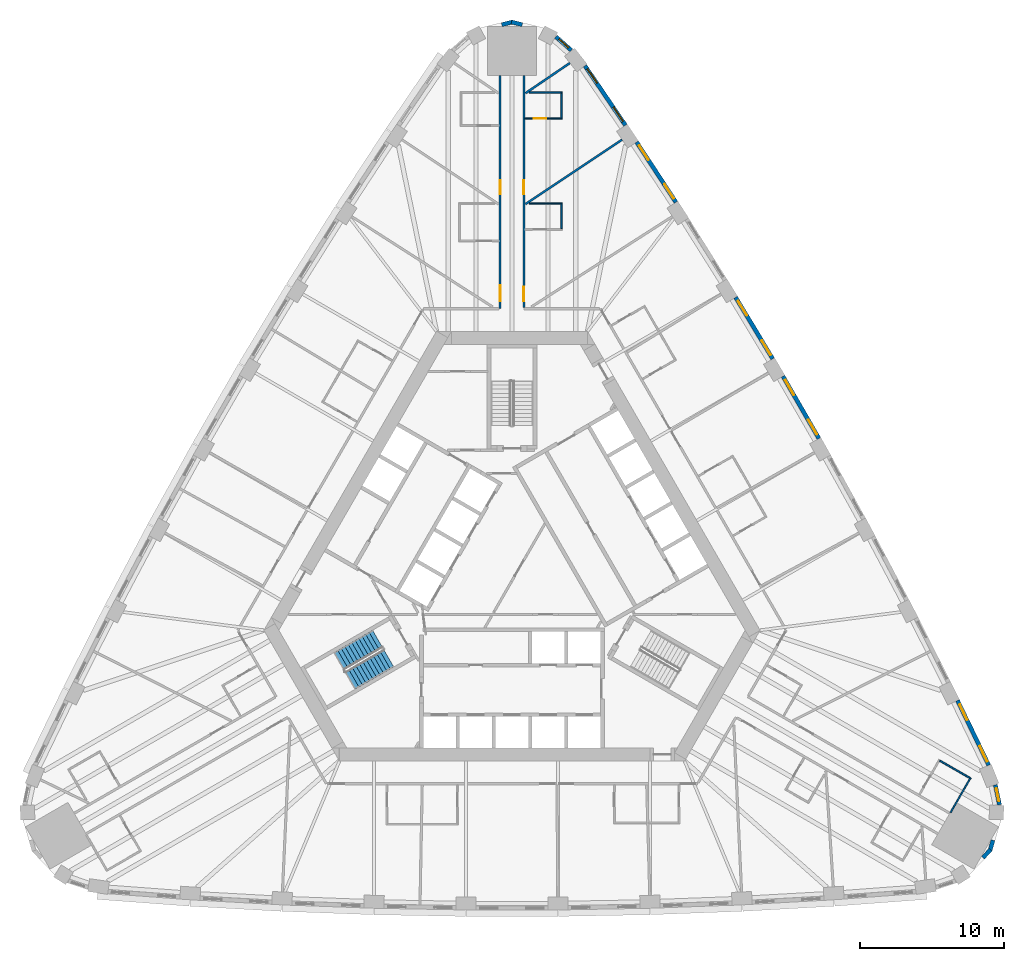
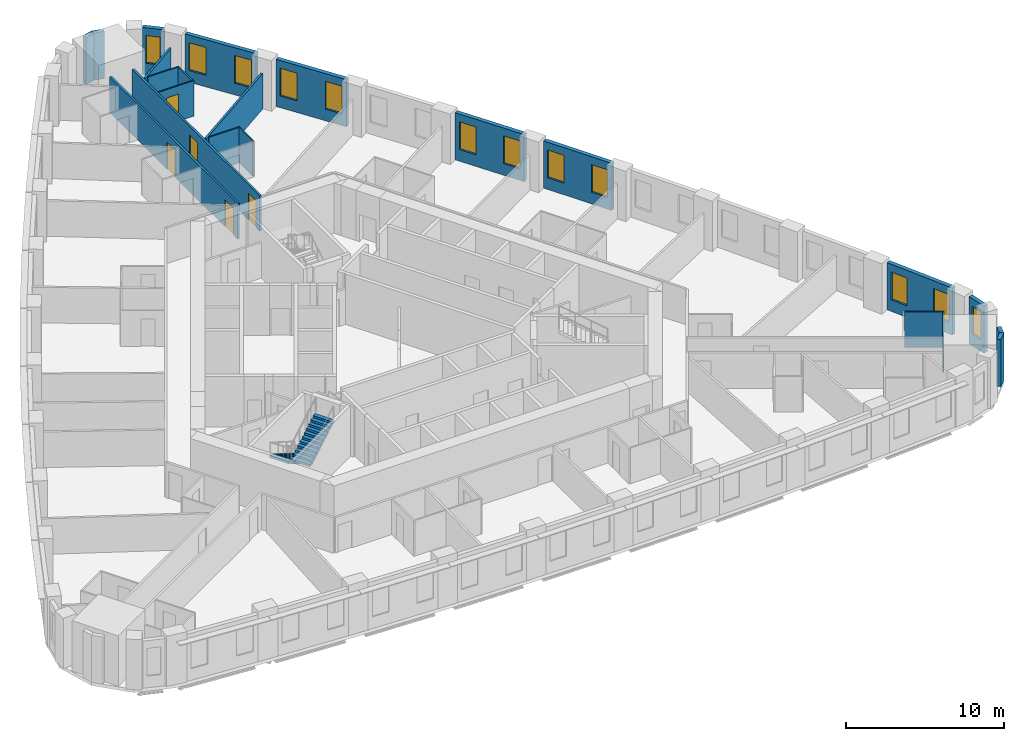
# One storey, part 11 of 13: 22 walls, 12 windows, 5 doors, 2 stair flights, 17 openings, 1 element without a shape of its own.
"""IFC4 building model written with IfcOpenShell, lengths in metres."""

from ifc_helpers import new_model, si_unit, direction, frame, frame_2d, origin, place, context, subcontext, project, spatial, polyline, rectangle, outline, extrude, material, layer, layer_set, type_object, element, fill, aggregate, save


model = new_model("IFC4")

# Units and contexts
model_context = context("Model", 3, precision=1e-05, world=origin(), true_north=direction((0.0, 1.0)))
body_context = subcontext(model_context, "Body", "Model", "MODEL_VIEW")
ifc_project = project(units=[si_unit("LENGTHUNIT", "METRE"), si_unit("AREAUNIT", "SQUARE_METRE"), si_unit("VOLUMEUNIT", "CUBIC_METRE"), si_unit("PLANEANGLEUNIT", "RADIAN"), si_unit("MASSUNIT", "GRAM", prefix="KILO")], contexts=[model_context])

# Site, building, storey
site_placement = place(None, origin())
site = spatial("IfcSite", under=ifc_project, at=site_placement, CompositionType="ELEMENT")
building_placement = place(site_placement, origin())
building = spatial("IfcBuilding", under=site, at=building_placement, Name="Mestral Congress Tower", CompositionType="ELEMENT")
storey_placement = place(building_placement, frame((0.0, 0.0, 62.699951171875)))
storey = spatial("IfcBuildingStorey", under=building, at=storey_placement, Name="L14", CompositionType="ELEMENT", Elevation=62.699951171875)

# Walls
ifc_material_1 = material(Name="Precast concrete C40/50 with limestone facing", Category="masonry")
ifc_layer_1 = layer(ifc_material_1, 0.2900390625)
ifc_layer_set_1 = layer_set([ifc_layer_1], Name="Precast concrete C40/50 with limestone facing")
wall_type_1 = type_object("IfcWallType", Name="Facade stone wall 290", PredefinedType="SOLIDWALL", material=ifc_layer_set_1)
for number, where, z_axis, x_axis, name in (
    (1, (32.762451171875, -19.732177734375, 0.0), (0.0, 0.0, 1.0), (0.692252359589, 0.721655506903, 0.0), "Facade wall K0-1"),
    (2, (33.256591796875, -19.24072265625, 0.0), (0.0, 0.0, 1.0), (0.278981320915, 0.960296528464, 0.0), "Facade wall K0-2"),
):
    element("IfcWall", number, at=place(storey_placement, frame(where, z_axis=z_axis, x_axis=x_axis)), inside=storey, type_object=wall_type_1, Name=name, PredefinedType="SOLIDWALL", context=body_context, shape_type="SweptSolid", body=[
        extrude(rectangle(XDim=0.763916015625, YDim=0.2900390625, at=frame_2d((0.3818359375, 0.0))), origin(), (0.0, 0.0, 1.0), 3.650146484375),
    ])

# Wall, opening, window
wall_1_placement = place(storey_placement, frame((33.91748046875, -16.043701171875, 0.0), z_axis=(0.0, 0.0, 1.0), x_axis=(-0.198106888228, 0.980180422594, 0.0)))
wall_1 = element("IfcWall", 3, at=wall_1_placement, inside=storey, type_object=wall_type_1, Name="Facade wall K0-3", PredefinedType="SOLIDWALL", context=body_context, shape_type="SweptSolid", body=[
    extrude(rectangle(XDim=1.414794921875, YDim=0.2900390625, at=frame_2d((0.70751953125, 0.0))), origin(), (0.0, 0.0, 1.0), 3.650146484375),
])
opening_1_placement = place(wall_1_placement, frame((0.25732421875, 0.0, 0.89990234375)))
opening_1 = element("IfcOpeningElement", 4, at=opening_1_placement, cuts=wall_1, Name="Opening W3", PredefinedType="OPENING", context=body_context, shape_type="SweptSolid", body=[
    extrude(rectangle(XDim=0.89990234375, YDim=2.14990234375, at=frame_2d((0.449951171875, 1.074951171875))), frame((0.0, 0.155029296875, 0.0), z_axis=(0.0, -1.0, 0.0), x_axis=(1.0, 0.0, 0.0)), (0.0, 0.0, 1.0), 0.31005859375),
])
ifc_material_2 = material(Name="Clear low-emissivity double glazing", Category="glass")
window_type_1 = type_object("IfcWindowType", Name="Facade punched window 900 x 2150 sill 900", PartitioningType="SINGLE_PANEL", PredefinedType="WINDOW", material=ifc_material_2)
window_1_placement = place(opening_1_placement, origin())
window_1 = element("IfcWindow", 5, at=window_1_placement, inside=storey, type_object=window_type_1, Name="Window K0-3", OverallHeight=2.14990234375, OverallWidth=0.89990234375, PartitioningType="SINGLE_PANEL", PredefinedType="WINDOW", context=body_context, shape_type="SweptSolid", body=[
    extrude(rectangle(XDim=0.89990234375, YDim=2.14990234375, at=frame_2d((0.449951171875, 1.074951171875))), frame((0.0, 0.01513671875, 0.0), z_axis=(0.0, -1.0, 0.0), x_axis=(1.0, 0.0, 0.0)), (0.0, 0.0, 1.0), 0.06005859375),
])
fill(opening_1, window_1)

# Wall, openings, windows
wall_2_placement = place(storey_placement, frame((33.176025390625, -13.290283203125, 0.0), z_axis=(0.0, 0.0, 1.0), x_axis=(-0.434664499056, 0.900592456808, 0.0)))
wall_2 = element("IfcWall", 6, at=wall_2_placement, inside=storey, type_object=wall_type_1, Name="Facade wall F1-00", PredefinedType="SOLIDWALL", context=body_context, shape_type="SweptSolid", body=[
    extrude(rectangle(XDim=5.005615234375, YDim=0.2900390625, at=frame_2d((2.5029296875, 0.0))), origin(), (0.0, 0.0, 1.0), 3.650146484375),
])
opening_2_placement = place(wall_2_placement, frame((0.265380859375, 0.0, 0.89990234375)))
opening_2 = element("IfcOpeningElement", 7, at=opening_2_placement, cuts=wall_2, Name="Opening W1", PredefinedType="OPENING", context=body_context, shape_type="SweptSolid", body=[
    extrude(rectangle(XDim=1.199951171875, YDim=2.14990234375, at=frame_2d((0.60009765625, 1.074951171875))), frame((0.0, 0.155029296875, 0.0), z_axis=(0.0, -1.0, 0.0), x_axis=(1.0, 0.0, 0.0)), (0.0, 0.0, 1.0), 0.31005859375),
])
opening_3_placement = place(wall_2_placement, frame((3.49560546875, 0.0, 0.89990234375)))
opening_3 = element("IfcOpeningElement", 8, at=opening_3_placement, cuts=wall_2, Name="Opening W1", PredefinedType="OPENING", context=body_context, shape_type="SweptSolid", body=[
    extrude(rectangle(XDim=1.199951171875, YDim=2.14990234375, at=frame_2d((0.60009765625, 1.074951171875))), frame((0.0, 0.155029296875, 0.0), z_axis=(0.0, -1.0, 0.0), x_axis=(1.0, 0.0, 0.0)), (0.0, 0.0, 1.0), 0.31005859375),
])
window_type_2 = type_object("IfcWindowType", Name="Facade punched window 1200 x 2150 sill 900", PartitioningType="DOUBLE_PANEL_VERTICAL", PredefinedType="WINDOW", material=ifc_material_2)
window_2_placement = place(opening_2_placement, origin())
window_2 = element("IfcWindow", 9, at=window_2_placement, inside=storey, type_object=window_type_2, Name="Window F1-00a", OverallHeight=2.14990234375, OverallWidth=1.199951171875, PartitioningType="DOUBLE_PANEL_VERTICAL", PredefinedType="WINDOW", context=body_context, shape_type="SweptSolid", body=[
    extrude(rectangle(XDim=1.199951171875, YDim=2.14990234375, at=frame_2d((0.60009765625, 1.074951171875))), frame((0.0, 0.01513671875, 0.0), z_axis=(0.0, -1.0, 0.0), x_axis=(1.0, 0.0, 0.0)), (0.0, 0.0, 1.0), 0.06005859375),
])
fill(opening_2, window_2)
window_3_placement = place(opening_3_placement, origin())
window_3 = element("IfcWindow", 10, at=window_3_placement, inside=storey, type_object=window_type_2, Name="Window F1-00b", OverallHeight=2.14990234375, OverallWidth=1.199951171875, PartitioningType="DOUBLE_PANEL_VERTICAL", PredefinedType="WINDOW", context=body_context, shape_type="SweptSolid", body=[
    extrude(rectangle(XDim=1.199951171875, YDim=2.14990234375, at=frame_2d((0.60009765625, 1.074951171875))), frame((0.0, 0.01513671875, 0.0), z_axis=(0.0, -1.0, 0.0), x_axis=(1.0, 0.0, 0.0)), (0.0, 0.0, 1.0), 0.06005859375),
])
fill(opening_3, window_3)

wall_3_placement = place(storey_placement, frame((21.357177734375, 9.44482421875, 0.0), z_axis=(0.0, 0.0, 1.0), x_axis=(-0.50002123722, 0.866013142123, 0.0)))
wall_3 = element("IfcWall", 11, at=wall_3_placement, inside=storey, type_object=wall_type_1, Name="Facade wall F1-04", PredefinedType="SOLIDWALL", context=body_context, shape_type="SweptSolid", body=[
    extrude(rectangle(XDim=4.998291015625, YDim=0.2900390625, at=frame_2d((2.4990234375, 0.0))), origin(), (0.0, 0.0, 1.0), 3.650146484375),
])
opening_4_placement = place(wall_3_placement, frame((0.297119140625, 0.0, 0.89990234375)))
opening_4 = element("IfcOpeningElement", 12, at=opening_4_placement, cuts=wall_3, Name="Opening W1", PredefinedType="OPENING", context=body_context, shape_type="SweptSolid", body=[
    extrude(rectangle(XDim=1.199951171875, YDim=2.14990234375, at=frame_2d((0.60009765625, 1.074951171875))), frame((0.0, 0.155029296875, 0.0), z_axis=(0.0, -1.0, 0.0), x_axis=(1.0, 0.0, 0.0)), (0.0, 0.0, 1.0), 0.31005859375),
])
opening_5_placement = place(wall_3_placement, frame((3.501220703125, 0.0, 0.89990234375)))
opening_5 = element("IfcOpeningElement", 13, at=opening_5_placement, cuts=wall_3, Name="Opening W1", PredefinedType="OPENING", context=body_context, shape_type="SweptSolid", body=[
    extrude(rectangle(XDim=1.199951171875, YDim=2.14990234375, at=frame_2d((0.60009765625, 1.074951171875))), frame((0.0, 0.155029296875, 0.0), z_axis=(0.0, -1.0, 0.0), x_axis=(1.0, 0.0, 0.0)), (0.0, 0.0, 1.0), 0.31005859375),
])
window_4_placement = place(opening_4_placement, origin())
window_4 = element("IfcWindow", 14, at=window_4_placement, inside=storey, type_object=window_type_2, Name="Window F1-04a", OverallHeight=2.14990234375, OverallWidth=1.199951171875, PartitioningType="DOUBLE_PANEL_VERTICAL", PredefinedType="WINDOW", context=body_context, shape_type="SweptSolid", body=[
    extrude(rectangle(XDim=1.199951171875, YDim=2.14990234375, at=frame_2d((0.60009765625, 1.074951171875))), frame((0.0, 0.01513671875, 0.0), z_axis=(0.0, -1.0, 0.0), x_axis=(1.0, 0.0, 0.0)), (0.0, 0.0, 1.0), 0.06005859375),
])
fill(opening_4, window_4)
window_5_placement = place(opening_5_placement, origin())
window_5 = element("IfcWindow", 15, at=window_5_placement, inside=storey, type_object=window_type_2, Name="Window F1-04b", OverallHeight=2.14990234375, OverallWidth=1.199951171875, PartitioningType="DOUBLE_PANEL_VERTICAL", PredefinedType="WINDOW", context=body_context, shape_type="SweptSolid", body=[
    extrude(rectangle(XDim=1.199951171875, YDim=2.14990234375, at=frame_2d((0.60009765625, 1.074951171875))), frame((0.0, 0.01513671875, 0.0), z_axis=(0.0, -1.0, 0.0), x_axis=(1.0, 0.0, 0.0)), (0.0, 0.0, 1.0), 0.06005859375),
])
fill(opening_5, window_5)

wall_4_placement = place(storey_placement, frame((18.143310546875, 14.985595703125, 0.0), z_axis=(0.0, 0.0, 1.0), x_axis=(-0.515938796285, 0.856625448191, 0.0)))
wall_4 = element("IfcWall", 16, at=wall_4_placement, inside=storey, type_object=wall_type_1, Name="Facade wall F1-05", PredefinedType="SOLIDWALL", context=body_context, shape_type="SweptSolid", body=[
    extrude(rectangle(XDim=4.998291015625, YDim=0.2900390625, at=frame_2d((2.4990234375, 0.0))), origin(), (0.0, 0.0, 1.0), 3.650146484375),
])
opening_6_placement = place(wall_4_placement, frame((0.297119140625, 0.0, 0.89990234375)))
opening_6 = element("IfcOpeningElement", 17, at=opening_6_placement, cuts=wall_4, Name="Opening W1", PredefinedType="OPENING", context=body_context, shape_type="SweptSolid", body=[
    extrude(rectangle(XDim=1.199951171875, YDim=2.14990234375, at=frame_2d((0.60009765625, 1.074951171875))), frame((0.0, 0.155029296875, 0.0), z_axis=(0.0, -1.0, 0.0), x_axis=(1.0, 0.0, 0.0)), (0.0, 0.0, 1.0), 0.31005859375),
])
opening_7_placement = place(wall_4_placement, frame((3.501220703125, 0.0, 0.89990234375)))
opening_7 = element("IfcOpeningElement", 18, at=opening_7_placement, cuts=wall_4, Name="Opening W1", PredefinedType="OPENING", context=body_context, shape_type="SweptSolid", body=[
    extrude(rectangle(XDim=1.199951171875, YDim=2.14990234375, at=frame_2d((0.60009765625, 1.074951171875))), frame((0.0, 0.155029296875, 0.0), z_axis=(0.0, -1.0, 0.0), x_axis=(1.0, 0.0, 0.0)), (0.0, 0.0, 1.0), 0.31005859375),
])
window_6_placement = place(opening_6_placement, origin())
window_6 = element("IfcWindow", 19, at=window_6_placement, inside=storey, type_object=window_type_2, Name="Window F1-05a", OverallHeight=2.14990234375, OverallWidth=1.199951171875, PartitioningType="DOUBLE_PANEL_VERTICAL", PredefinedType="WINDOW", context=body_context, shape_type="SweptSolid", body=[
    extrude(rectangle(XDim=1.199951171875, YDim=2.14990234375, at=frame_2d((0.60009765625, 1.074951171875))), frame((0.0, 0.01513671875, 0.0), z_axis=(0.0, -1.0, 0.0), x_axis=(1.0, 0.0, 0.0)), (0.0, 0.0, 1.0), 0.06005859375),
])
fill(opening_6, window_6)
window_7_placement = place(opening_7_placement, origin())
window_7 = element("IfcWindow", 20, at=window_7_placement, inside=storey, type_object=window_type_2, Name="Window F1-05b", OverallHeight=2.14990234375, OverallWidth=1.199951171875, PartitioningType="DOUBLE_PANEL_VERTICAL", PredefinedType="WINDOW", context=body_context, shape_type="SweptSolid", body=[
    extrude(rectangle(XDim=1.199951171875, YDim=2.14990234375, at=frame_2d((0.60009765625, 1.074951171875))), frame((0.0, 0.01513671875, 0.0), z_axis=(0.0, -1.0, 0.0), x_axis=(1.0, 0.0, 0.0)), (0.0, 0.0, 1.0), 0.06005859375),
])
fill(opening_7, window_7)

wall_5_placement = place(storey_placement, frame((11.41064453125, 25.884033203125, 0.0), z_axis=(0.0, 0.0, 1.0), x_axis=(-0.547204617628, 0.836998868845, 0.0)))
wall_5 = element("IfcWall", 21, at=wall_5_placement, inside=storey, type_object=wall_type_1, Name="Facade wall F1-07", PredefinedType="SOLIDWALL", context=body_context, shape_type="SweptSolid", body=[
    extrude(rectangle(XDim=4.998291015625, YDim=0.2900390625, at=frame_2d((2.4990234375, 0.0))), origin(), (0.0, 0.0, 1.0), 3.650146484375),
])
opening_8_placement = place(wall_5_placement, frame((0.297119140625, 0.0, 0.89990234375)))
opening_8 = element("IfcOpeningElement", 22, at=opening_8_placement, cuts=wall_5, Name="Opening W1", PredefinedType="OPENING", context=body_context, shape_type="SweptSolid", body=[
    extrude(rectangle(XDim=1.199951171875, YDim=2.14990234375, at=frame_2d((0.60009765625, 1.074951171875))), frame((0.0, 0.155029296875, 0.0), z_axis=(0.0, -1.0, 0.0), x_axis=(1.0, 0.0, 0.0)), (0.0, 0.0, 1.0), 0.31005859375),
])
opening_9_placement = place(wall_5_placement, frame((3.501220703125, 0.0, 0.89990234375)))
opening_9 = element("IfcOpeningElement", 23, at=opening_9_placement, cuts=wall_5, Name="Opening W1", PredefinedType="OPENING", context=body_context, shape_type="SweptSolid", body=[
    extrude(rectangle(XDim=1.199951171875, YDim=2.14990234375, at=frame_2d((0.60009765625, 1.074951171875))), frame((0.0, 0.155029296875, 0.0), z_axis=(0.0, -1.0, 0.0), x_axis=(1.0, 0.0, 0.0)), (0.0, 0.0, 1.0), 0.31005859375),
])
window_8_placement = place(opening_8_placement, origin())
window_8 = element("IfcWindow", 24, at=window_8_placement, inside=storey, type_object=window_type_2, Name="Window F1-07a", OverallHeight=2.14990234375, OverallWidth=1.199951171875, PartitioningType="DOUBLE_PANEL_VERTICAL", PredefinedType="WINDOW", context=body_context, shape_type="SweptSolid", body=[
    extrude(rectangle(XDim=1.199951171875, YDim=2.14990234375, at=frame_2d((0.60009765625, 1.074951171875))), frame((0.0, 0.01513671875, 0.0), z_axis=(0.0, -1.0, 0.0), x_axis=(1.0, 0.0, 0.0)), (0.0, 0.0, 1.0), 0.06005859375),
])
fill(opening_8, window_8)
window_9_placement = place(opening_9_placement, origin())
window_9 = element("IfcWindow", 25, at=window_9_placement, inside=storey, type_object=window_type_2, Name="Window F1-07b", OverallHeight=2.14990234375, OverallWidth=1.199951171875, PartitioningType="DOUBLE_PANEL_VERTICAL", PredefinedType="WINDOW", context=body_context, shape_type="SweptSolid", body=[
    extrude(rectangle(XDim=1.199951171875, YDim=2.14990234375, at=frame_2d((0.60009765625, 1.074951171875))), frame((0.0, 0.01513671875, 0.0), z_axis=(0.0, -1.0, 0.0), x_axis=(1.0, 0.0, 0.0)), (0.0, 0.0, 1.0), 0.06005859375),
])
fill(opening_9, window_9)

wall_6_placement = place(storey_placement, frame((7.89453125, 31.23828125, 0.0), z_axis=(0.0, 0.0, 1.0), x_axis=(-0.562610153679, 0.826722332454, 0.0)))
wall_6 = element("IfcWall", 26, at=wall_6_placement, inside=storey, type_object=wall_type_1, Name="Facade wall F1-08", PredefinedType="SOLIDWALL", context=body_context, shape_type="SweptSolid", body=[
    extrude(rectangle(XDim=5.005615234375, YDim=0.2900390625, at=frame_2d((2.5029296875, 0.0))), origin(), (0.0, 0.0, 1.0), 3.650146484375),
])
opening_10_placement = place(wall_6_placement, frame((0.310302734375, 0.0, 0.89990234375)))
opening_10 = element("IfcOpeningElement", 27, at=opening_10_placement, cuts=wall_6, Name="Opening W1", PredefinedType="OPENING", context=body_context, shape_type="SweptSolid", body=[
    extrude(rectangle(XDim=1.199951171875, YDim=2.14990234375, at=frame_2d((0.60009765625, 1.074951171875))), frame((0.0, 0.155029296875, 0.0), z_axis=(0.0, -1.0, 0.0), x_axis=(1.0, 0.0, 0.0)), (0.0, 0.0, 1.0), 0.31005859375),
])
opening_11_placement = place(wall_6_placement, frame((3.54052734375, 0.0, 0.89990234375)))
opening_11 = element("IfcOpeningElement", 28, at=opening_11_placement, cuts=wall_6, Name="Opening W1", PredefinedType="OPENING", context=body_context, shape_type="SweptSolid", body=[
    extrude(rectangle(XDim=1.199951171875, YDim=2.14990234375, at=frame_2d((0.60009765625, 1.074951171875))), frame((0.0, 0.155029296875, 0.0), z_axis=(0.0, -1.0, 0.0), x_axis=(1.0, 0.0, 0.0)), (0.0, 0.0, 1.0), 0.31005859375),
])
window_10_placement = place(opening_10_placement, origin())
window_10 = element("IfcWindow", 29, at=window_10_placement, inside=storey, type_object=window_type_2, Name="Window F1-08a", OverallHeight=2.14990234375, OverallWidth=1.199951171875, PartitioningType="DOUBLE_PANEL_VERTICAL", PredefinedType="WINDOW", context=body_context, shape_type="SweptSolid", body=[
    extrude(rectangle(XDim=1.199951171875, YDim=2.14990234375, at=frame_2d((0.60009765625, 1.074951171875))), frame((0.0, 0.01513671875, 0.0), z_axis=(0.0, -1.0, 0.0), x_axis=(1.0, 0.0, 0.0)), (0.0, 0.0, 1.0), 0.06005859375),
])
fill(opening_10, window_10)
window_11_placement = place(opening_11_placement, origin())
window_11 = element("IfcWindow", 30, at=window_11_placement, inside=storey, type_object=window_type_2, Name="Window F1-08b", OverallHeight=2.14990234375, OverallWidth=1.199951171875, PartitioningType="DOUBLE_PANEL_VERTICAL", PredefinedType="WINDOW", context=body_context, shape_type="SweptSolid", body=[
    extrude(rectangle(XDim=1.199951171875, YDim=2.14990234375, at=frame_2d((0.60009765625, 1.074951171875))), frame((0.0, 0.01513671875, 0.0), z_axis=(0.0, -1.0, 0.0), x_axis=(1.0, 0.0, 0.0)), (0.0, 0.0, 1.0), 0.06005859375),
])
fill(opening_11, window_11)

# Wall, opening, window
wall_7_placement = place(storey_placement, frame((4.12548828125, 36.458984375, 0.0), z_axis=(0.0, 0.0, 1.0), x_axis=(-0.749812680302, 0.661650167731, 0.0)))
wall_7 = element("IfcWall", 31, at=wall_7_placement, inside=storey, type_object=wall_type_1, Name="Facade wall K1-0", PredefinedType="SOLIDWALL", context=body_context, shape_type="SweptSolid", body=[
    extrude(rectangle(XDim=1.4150390625, YDim=0.2900390625, at=frame_2d((0.70751953125, 0.0))), origin(), (0.0, 0.0, 1.0), 3.650146484375),
])
opening_12_placement = place(wall_7_placement, frame((0.257568359375, 0.0, 0.89990234375)))
opening_12 = element("IfcOpeningElement", 32, at=opening_12_placement, cuts=wall_7, Name="Opening W3", PredefinedType="OPENING", context=body_context, shape_type="SweptSolid", body=[
    extrude(rectangle(XDim=0.89990234375, YDim=2.14990234375, at=frame_2d((0.449951171875, 1.074951171875))), frame((0.0, 0.155029296875, 0.0), z_axis=(0.0, -1.0, 0.0), x_axis=(1.0, 0.0, 0.0)), (0.0, 0.0, 1.0), 0.31005859375),
])
window_12_placement = place(opening_12_placement, origin())
window_12 = element("IfcWindow", 33, at=window_12_placement, inside=storey, type_object=window_type_1, Name="Window K1-0", OverallHeight=2.14990234375, OverallWidth=0.89990234375, PartitioningType="SINGLE_PANEL", PredefinedType="WINDOW", context=body_context, shape_type="SweptSolid", body=[
    extrude(rectangle(XDim=0.89990234375, YDim=2.14990234375, at=frame_2d((0.449951171875, 1.074951171875))), frame((0.0, 0.01513671875, 0.0), z_axis=(0.0, -1.0, 0.0), x_axis=(1.0, 0.0, 0.0)), (0.0, 0.0, 1.0), 0.06005859375),
])
fill(opening_12, window_12)

# Walls
for number, where, z_axis, x_axis, name in (
    (34, (0.707275390625, 38.2392578125, 0.0), (0.0, 0.0, 1.0), (-0.971167582305, 0.238397833629, 0.0), "Facade wall K1-1"),
    (35, (0.03466796875, 38.42138671875, 0.0), (0.0, 0.0, 1.0), (-0.971167582305, -0.238397833629, 0.0), "Facade wall K1-2"),
):
    element("IfcWall", number, at=place(storey_placement, frame(where, z_axis=z_axis, x_axis=x_axis)), inside=storey, type_object=wall_type_1, Name=name, PredefinedType="SOLIDWALL", context=body_context, shape_type="SweptSolid", body=[
        extrude(rectangle(XDim=0.763916015625, YDim=0.2900390625, at=frame_2d((0.3818359375, 0.0))), origin(), (0.0, 0.0, 1.0), 3.650146484375),
    ])
ifc_material_3 = material(Name="Gypsum board partition on metal studs with mineral wool", Category="composite")
ifc_layer_2 = layer(ifc_material_3, 0.10009765625)
ifc_layer_set_2 = layer_set([ifc_layer_2], Name="Gypsum board partition on metal studs with mineral wool")
wall_type_2 = type_object("IfcWallType", Name="Hotel partition wall 100", PredefinedType="PARTITIONING", material=ifc_layer_set_2)
wall_8_placement = place(storey_placement, frame((29.770751953125, -12.973388671875, 0.0), z_axis=(0.0, 0.0, 1.0), x_axis=(0.865980596518, -0.500077600433, 0.0)))
element("IfcWall", 36, at=wall_8_placement, inside=storey, type_object=wall_type_2, Name="L14-h-pod08b", PredefinedType="PARTITIONING", context=body_context, shape_type="SweptSolid", body=[
    extrude(rectangle(XDim=2.39990234375, YDim=0.10009765625, at=frame_2d((1.199951171875, 0.0))), origin(), (0.0, 0.0, 1.0), 2.75),
])
wall_9_placement = place(storey_placement, frame((30.517578125, -16.580078125, 0.0), z_axis=(0.0, 0.0, 1.0), x_axis=(0.49998411664, 0.866034573852, 0.0)))
element("IfcWall", 37, at=wall_9_placement, inside=storey, type_object=wall_type_2, Name="L14-h-pod08c", PredefinedType="PARTITIONING", context=body_context, shape_type="SweptSolid", body=[
    extrude(rectangle(XDim=2.7998046875, YDim=0.10009765625, at=frame_2d((1.39990234375, 0.0))), origin(), (0.0, 0.0, 1.0), 2.75),
])
wall_10_placement = place(storey_placement, frame((3.449951171875, 24.04443359375, 0.0), z_axis=(0.0, 0.0, 1.0), x_axis=(0.0, 1.0, 0.0)))
element("IfcWall", 38, at=wall_10_placement, inside=storey, type_object=wall_type_2, Name="L14-h-pod14b", PredefinedType="PARTITIONING", context=body_context, shape_type="SweptSolid", body=[
    extrude(rectangle(XDim=1.699951171875, YDim=0.10009765625, at=frame_2d((0.85009765625, 0.0))), origin(), (0.0, 0.0, 1.0), 2.75),
])
wall_11_placement = place(storey_placement, frame((1.2099609375, 25.79443359375, 0.0), z_axis=(0.0, 0.0, 1.0), x_axis=(1.0, 0.0, 0.0)))
element("IfcWall", 39, at=wall_11_placement, inside=storey, type_object=wall_type_2, Name="L14-h-pod14c", PredefinedType="PARTITIONING", context=body_context, shape_type="SweptSolid", body=[
    extrude(rectangle(XDim=2.2900390625, YDim=0.10009765625, at=frame_2d((1.14501953125, 0.0))), origin(), (0.0, 0.0, 1.0), 2.75),
])

# Wall, opening, door
wall_12_placement = place(storey_placement, frame((0.89990234375, 31.70849609375, 0.0), z_axis=(0.0, 0.0, 1.0), x_axis=(1.0, 0.0, 0.0)))
wall_12 = element("IfcWall", 40, at=wall_12_placement, inside=storey, type_object=wall_type_2, Name="L14-h-pod15a", PredefinedType="PARTITIONING", context=body_context, shape_type="SweptSolid", body=[
    extrude(rectangle(XDim=2.60009765625, YDim=0.10009765625, at=frame_2d((1.300048828125, 0.0))), origin(), (0.0, 0.0, 1.0), 2.75),
])
opening_13_placement = place(wall_12_placement, frame((0.60009765625, 0.0, 0.0)))
opening_13 = element("IfcOpeningElement", 41, at=opening_13_placement, cuts=wall_12, Name="Opening H04-030", PredefinedType="OPENING", context=body_context, shape_type="SweptSolid", body=[
    extrude(rectangle(XDim=0.89990234375, YDim=2.10009765625, at=frame_2d((0.449951171875, 1.050048828125))), frame((0.0, 0.06005859375, 0.0), z_axis=(0.0, -1.0, 0.0), x_axis=(1.0, 0.0, 0.0)), (0.0, 0.0, 1.0), 0.1201171875),
])
ifc_material_4 = material(Name="Timber veneer door leaf in timber frame", Category="wood")
door_type_1 = type_object("IfcDoorType", Name="Bathroom door 900", OperationType="SINGLE_SWING_LEFT", PredefinedType="DOOR", material=ifc_material_4)
door_1_placement = place(opening_13_placement, origin())
door_1 = element("IfcDoor", 42, at=door_1_placement, inside=storey, type_object=door_type_1, Name="L14-h-d030", OperationType="SINGLE_SWING_RIGHT", OverallHeight=2.10009765625, OverallWidth=0.89990234375, PredefinedType="DOOR", context=body_context, shape_type="SweptSolid", body=[
    extrude(rectangle(XDim=0.89990234375, YDim=2.10009765625, at=frame_2d((0.449951171875, 1.050048828125))), frame((0.0, 0.02490234375, 0.0), z_axis=(0.0, -1.0, 0.0), x_axis=(1.0, 0.0, 0.0)), (0.0, 0.0, 1.0), 0.050048828125),
])
fill(opening_13, door_1)

# Walls
wall_13_placement = place(storey_placement, frame((3.449951171875, 31.758544921875, 0.0), z_axis=(0.0, 0.0, 1.0), x_axis=(0.0, 1.0, 0.0)))
element("IfcWall", 43, at=wall_13_placement, inside=storey, type_object=wall_type_2, Name="L14-h-pod15b", PredefinedType="PARTITIONING", context=body_context, shape_type="SweptSolid", body=[
    extrude(rectangle(XDim=1.699951171875, YDim=0.10009765625, at=frame_2d((0.85009765625, 0.0))), origin(), (0.0, 0.0, 1.0), 2.75),
])
wall_14_placement = place(storey_placement, frame((1.199951171875, 33.508544921875, 0.0), z_axis=(0.0, 0.0, 1.0), x_axis=(1.0, 0.0, 0.0)))
element("IfcWall", 44, at=wall_14_placement, inside=storey, type_object=wall_type_2, Name="L14-h-pod15c", PredefinedType="PARTITIONING", context=body_context, shape_type="SweptSolid", body=[
    extrude(rectangle(XDim=2.300048828125, YDim=0.10009765625, at=frame_2d((1.14990234375, 0.0))), origin(), (0.0, 0.0, 1.0), 2.75),
])

# Wall, openings, doors
ifc_layer_3 = layer(ifc_material_3, 0.14990234375)
ifc_layer_set_3 = layer_set([ifc_layer_3], Name="Gypsum board partition on metal studs with mineral wool")
wall_type_3 = type_object("IfcWallType", Name="Hotel partition wall 150", PredefinedType="PARTITIONING", material=ifc_layer_set_3)
wall_15_placement = place(storey_placement, frame((0.824951171875, 34.698974609375, 0.0), z_axis=(0.0, 0.0, 1.0), x_axis=(0.0, -1.0, 0.0)))
wall_15 = element("IfcWall", 45, at=wall_15_placement, inside=storey, type_object=wall_type_3, Name="L14-h-cw05", PredefinedType="PARTITIONING", context=body_context, shape_type="SweptSolid", body=[
    extrude(rectangle(XDim=16.14404296875, YDim=0.14990234375, at=frame_2d((8.072021484375, 0.0))), origin(), (0.0, 0.0, 1.0), 2.75),
])
opening_14_placement = place(wall_15_placement, frame((14.7138671875, 0.0, 0.0)))
opening_14 = element("IfcOpeningElement", 46, at=opening_14_placement, cuts=wall_15, Name="Opening H04-027", PredefinedType="OPENING", context=body_context, shape_type="SweptSolid", body=[
    extrude(rectangle(XDim=1.0, YDim=2.10009765625, at=frame_2d((0.5, 1.050048828125))), frame((0.0, 0.0849609375, 0.0), z_axis=(0.0, -1.0, 0.0), x_axis=(1.0, 0.0, 0.0)), (0.0, 0.0, 1.0), 0.169921875),
])
opening_15_placement = place(wall_15_placement, frame((7.274658203125, 0.0, 0.0)))
opening_15 = element("IfcOpeningElement", 47, at=opening_15_placement, cuts=wall_15, Name="Opening H04-029", PredefinedType="OPENING", context=body_context, shape_type="SweptSolid", body=[
    extrude(rectangle(XDim=1.0, YDim=2.10009765625, at=frame_2d((0.5, 1.050048828125))), frame((0.0, 0.0849609375, 0.0), z_axis=(0.0, -1.0, 0.0), x_axis=(1.0, 0.0, 0.0)), (0.0, 0.0, 1.0), 0.169921875),
])
ifc_material_5 = material(Name="Timber veneer door leaf in metal frame", Category="wood")
door_type_2 = type_object("IfcDoorType", Name="Guest room entrance door 1000", OperationType="SINGLE_SWING_LEFT", PredefinedType="DOOR", material=ifc_material_5)
door_2_placement = place(opening_14_placement, origin())
door_2 = element("IfcDoor", 48, at=door_2_placement, inside=storey, type_object=door_type_2, Name="L14-h-d027", OperationType="SINGLE_SWING_RIGHT", OverallHeight=2.10009765625, OverallWidth=1.0, PredefinedType="DOOR", context=body_context, shape_type="SweptSolid", body=[
    extrude(rectangle(XDim=1.0, YDim=2.10009765625, at=frame_2d((0.5, 1.050048828125))), frame((0.0, 0.02490234375, 0.0), z_axis=(0.0, -1.0, 0.0), x_axis=(1.0, 0.0, 0.0)), (0.0, 0.0, 1.0), 0.050048828125),
])
fill(opening_14, door_2)
door_3_placement = place(opening_15_placement, origin())
door_3 = element("IfcDoor", 49, at=door_3_placement, inside=storey, type_object=door_type_2, Name="L14-h-d029", OperationType="SINGLE_SWING_RIGHT", OverallHeight=2.10009765625, OverallWidth=1.0, PredefinedType="DOOR", context=body_context, shape_type="SweptSolid", body=[
    extrude(rectangle(XDim=1.0, YDim=2.10009765625, at=frame_2d((0.5, 1.050048828125))), frame((0.0, 0.02490234375, 0.0), z_axis=(0.0, -1.0, 0.0), x_axis=(1.0, 0.0, 0.0)), (0.0, 0.0, 1.0), 0.050048828125),
])
fill(opening_15, door_3)

wall_16_placement = place(storey_placement, frame((-0.824951171875, 18.47509765625, 0.0), z_axis=(0.0, 0.0, 1.0), x_axis=(0.0, 1.0, 0.0)))
wall_16 = element("IfcWall", 50, at=wall_16_placement, inside=storey, type_object=wall_type_3, Name="L14-h-cw06", PredefinedType="PARTITIONING", context=body_context, shape_type="SweptSolid", body=[
    extrude(rectangle(XDim=16.223876953125, YDim=0.14990234375, at=frame_2d((8.11181640625, 0.0))), origin(), (0.0, 0.0, 1.0), 2.75),
])
opening_16_placement = place(wall_16_placement, frame((7.948974609375, 0.0, 0.0)))
opening_16 = element("IfcOpeningElement", 51, at=opening_16_placement, cuts=wall_16, Name="Opening H04-031", PredefinedType="OPENING", context=body_context, shape_type="SweptSolid", body=[
    extrude(rectangle(XDim=1.0, YDim=2.10009765625, at=frame_2d((0.5, 1.050048828125))), frame((0.0, 0.0849609375, 0.0), z_axis=(0.0, -1.0, 0.0), x_axis=(1.0, 0.0, 0.0)), (0.0, 0.0, 1.0), 0.169921875),
])
opening_17_placement = place(wall_16_placement, frame((0.52587890625, 0.0, 0.0)))
opening_17 = element("IfcOpeningElement", 52, at=opening_17_placement, cuts=wall_16, Name="Opening H04-033", PredefinedType="OPENING", context=body_context, shape_type="SweptSolid", body=[
    extrude(rectangle(XDim=1.10009765625, YDim=2.10009765625, at=frame_2d((0.550048828125, 1.050048828125))), frame((0.0, 0.0849609375, 0.0), z_axis=(0.0, -1.0, 0.0), x_axis=(1.0, 0.0, 0.0)), (0.0, 0.0, 1.0), 0.169921875),
])
door_type_3 = type_object("IfcDoorType", Name="Accessible room entrance door 1100", OperationType="SINGLE_SWING_LEFT", PredefinedType="DOOR", material=ifc_material_5)
door_4_placement = place(opening_17_placement, origin())
door_4 = element("IfcDoor", 53, at=door_4_placement, inside=storey, type_object=door_type_3, Name="L14-h-d033", OperationType="SINGLE_SWING_LEFT", OverallHeight=2.10009765625, OverallWidth=1.10009765625, PredefinedType="DOOR", context=body_context, shape_type="SweptSolid", body=[
    extrude(rectangle(XDim=1.10009765625, YDim=2.10009765625, at=frame_2d((0.550048828125, 1.050048828125))), frame((0.0, 0.02490234375, 0.0), z_axis=(0.0, -1.0, 0.0), x_axis=(1.0, 0.0, 0.0)), (0.0, 0.0, 1.0), 0.050048828125),
])
fill(opening_17, door_4)
door_5_placement = place(opening_16_placement, origin())
door_5 = element("IfcDoor", 54, at=door_5_placement, inside=storey, type_object=door_type_2, Name="L14-h-d031", OperationType="SINGLE_SWING_LEFT", OverallHeight=2.10009765625, OverallWidth=1.0, PredefinedType="DOOR", context=body_context, shape_type="SweptSolid", body=[
    extrude(rectangle(XDim=1.0, YDim=2.10009765625, at=frame_2d((0.5, 1.050048828125))), frame((0.0, 0.02490234375, 0.0), z_axis=(0.0, -1.0, 0.0), x_axis=(1.0, 0.0, 0.0)), (0.0, 0.0, 1.0), 0.050048828125),
])
fill(opening_16, door_5)

# Walls
wall_17_placement = place(storey_placement, frame((7.662353515625, 30.237548828125, 0.0), z_axis=(0.0, 0.0, 1.0), x_axis=(-0.831882886825, -0.554951225431, 0.0)))
element("IfcWall", 55, at=wall_17_placement, inside=storey, type_object=wall_type_3, Name="L14-h-pw12", PredefinedType="PARTITIONING", context=body_context, shape_type="SweptSolid", body=[
    extrude(rectangle(XDim=8.078857421875, YDim=0.14990234375, at=frame_2d((4.03955078125, 0.0))), origin(), (0.0, 0.0, 1.0), 2.75),
])
wall_18_placement = place(storey_placement, frame((4.02783203125, 35.56884765625, 0.0), z_axis=(0.0, 0.0, 1.0), x_axis=(-0.826730622998, -0.562597971021, 0.0)))
element("IfcWall", 56, at=wall_18_placement, inside=storey, type_object=wall_type_3, Name="L14-h-pw15", PredefinedType="PARTITIONING", context=body_context, shape_type="SweptSolid", body=[
    extrude(rectangle(XDim=3.7333984375, YDim=0.14990234375, at=frame_2d((1.86669921875, 0.0))), origin(), (0.0, 0.0, 1.0), 2.75),
])

# Stair, stair flights
ifc_material_6 = material(Name="Concrete C60/75", Category="concrete")
stair_type = type_object("IfcStairType", Name="Exit stair 1400", PredefinedType="HALF_TURN_STAIR", material=ifc_material_6)
stair_placement = place(storey_placement, origin())
stair = element("IfcStair", 57, at=stair_placement, inside=storey, type_object=stair_type, Name="L14 ST3", PredefinedType="HALF_TURN_STAIR")
stair_flight_type = type_object("IfcStairFlightType", Name="Exit stair flight 1400", PredefinedType="STRAIGHT", material=ifc_material_6)
stair_flight_1_placement = place(storey_placement, frame((-9.350830078125, -4.50390625, 0.0), z_axis=(0.0, 0.0, 1.0), x_axis=(-0.866025403784, -0.5, 0.0)))
stair_flight_1 = element("IfcStairFlight", 58, at=stair_flight_1_placement, type_object=stair_flight_type, Name="ST3 flight 1", NumberOfRisers=12, NumberOfTreads=11, PredefinedType="STRAIGHT", RiserHeight=0.1625, TreadLength=0.28, context=body_context, shape_type="SweptSolid", body=[
    extrude(outline(polyline([(0.0, 0.0), (0.0, 0.16259765625), (0.280029296875, 0.16259765625), (0.280029296875, 0.324951171875), (0.56005859375, 0.324951171875), (0.56005859375, 0.487548828125), (0.840087890625, 0.487548828125), (0.840087890625, 0.64990234375), (1.1201171875, 0.64990234375), (1.1201171875, 0.8125), (1.39990234375, 0.8125), (1.39990234375, 0.97509765625), (1.679931640625, 0.97509765625), (1.679931640625, 1.137451171875), (1.9599609375, 1.137451171875), (1.9599609375, 1.300048828125), (2.239990234375, 1.300048828125), (2.239990234375, 1.46240234375), (2.52001953125, 1.46240234375), (2.52001953125, 1.625), (2.800048828125, 1.625), (2.800048828125, 1.78759765625), (3.080078125, 1.78759765625), (3.080078125, 1.949951171875), (3.080078125, 1.6142578125), (0.298583984375, 0.0), (0.0, 0.0)])), frame((0.0, 0.699951171875, 0.0), z_axis=(0.0, -1.0, 0.0), x_axis=(1.0, 0.0, 0.0)), (0.0, 0.0, 1.0), 1.39990234375),
])
stair_flight_2_placement = place(storey_placement, frame((-11.2431640625, -7.38623046875, 1.949951171875), z_axis=(0.0, 0.0, 1.0), x_axis=(0.866025403784, 0.5, 0.0)))
stair_flight_2 = element("IfcStairFlight", 59, at=stair_flight_2_placement, type_object=stair_flight_type, Name="ST3 flight 2", NumberOfRisers=12, NumberOfTreads=11, PredefinedType="STRAIGHT", RiserHeight=0.1625, TreadLength=0.28, context=body_context, shape_type="SweptSolid", body=[
    extrude(outline(polyline([(0.0, 0.0), (0.0, 0.16259765625), (0.280029296875, 0.16259765625), (0.280029296875, 0.324951171875), (0.56005859375, 0.324951171875), (0.56005859375, 0.487548828125), (0.840087890625, 0.487548828125), (0.840087890625, 0.64990234375), (1.1201171875, 0.64990234375), (1.1201171875, 0.8125), (1.39990234375, 0.8125), (1.39990234375, 0.97509765625), (1.679931640625, 0.97509765625), (1.679931640625, 1.137451171875), (1.9599609375, 1.137451171875), (1.9599609375, 1.300048828125), (2.239990234375, 1.300048828125), (2.239990234375, 1.46240234375), (2.52001953125, 1.46240234375), (2.52001953125, 1.625), (2.800048828125, 1.625), (2.800048828125, 1.78759765625), (3.080078125, 1.78759765625), (3.080078125, 1.949951171875), (3.080078125, 1.6142578125), (0.298583984375, 0.0), (0.0, 0.0)])), frame((0.0, 0.699951171875, 0.0), z_axis=(0.0, -1.0, 0.0), x_axis=(1.0, 0.0, 0.0)), (0.0, 0.0, 1.0), 1.39990234375),
])
aggregate(stair, [stair_flight_1, stair_flight_2])

save(model, "model.ifc")
